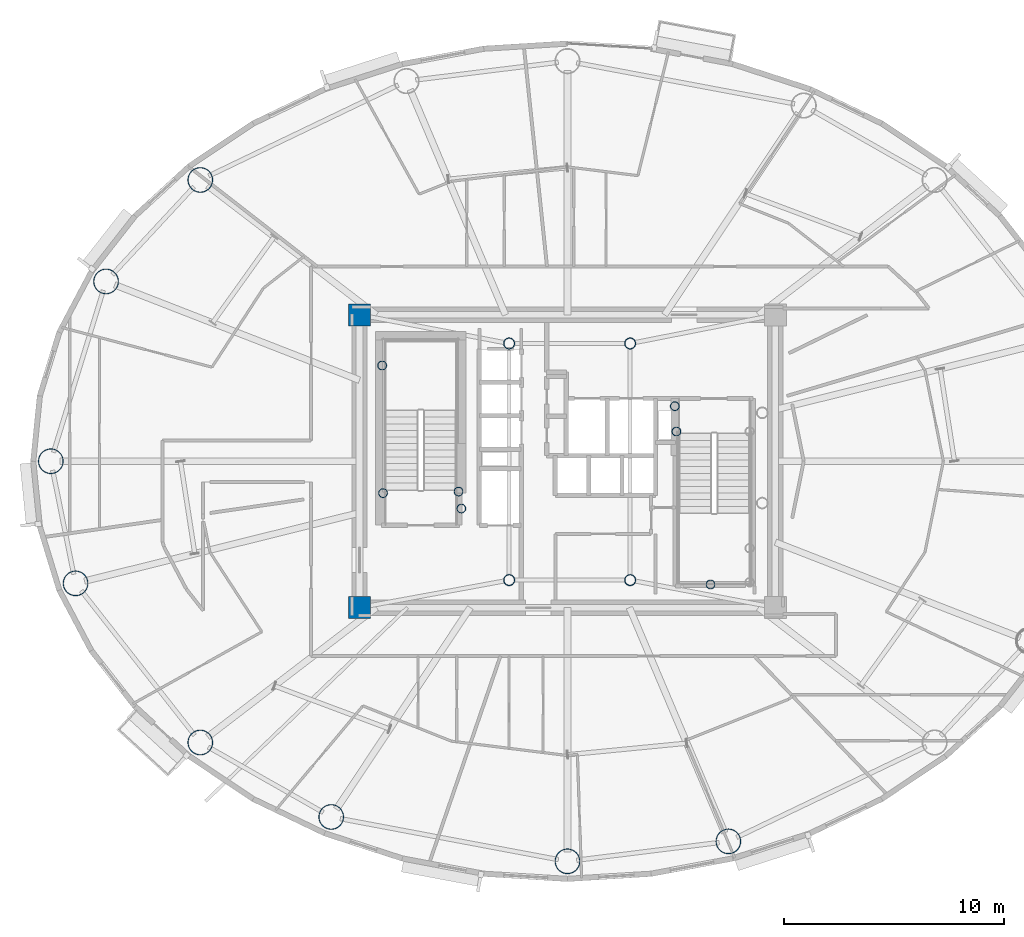
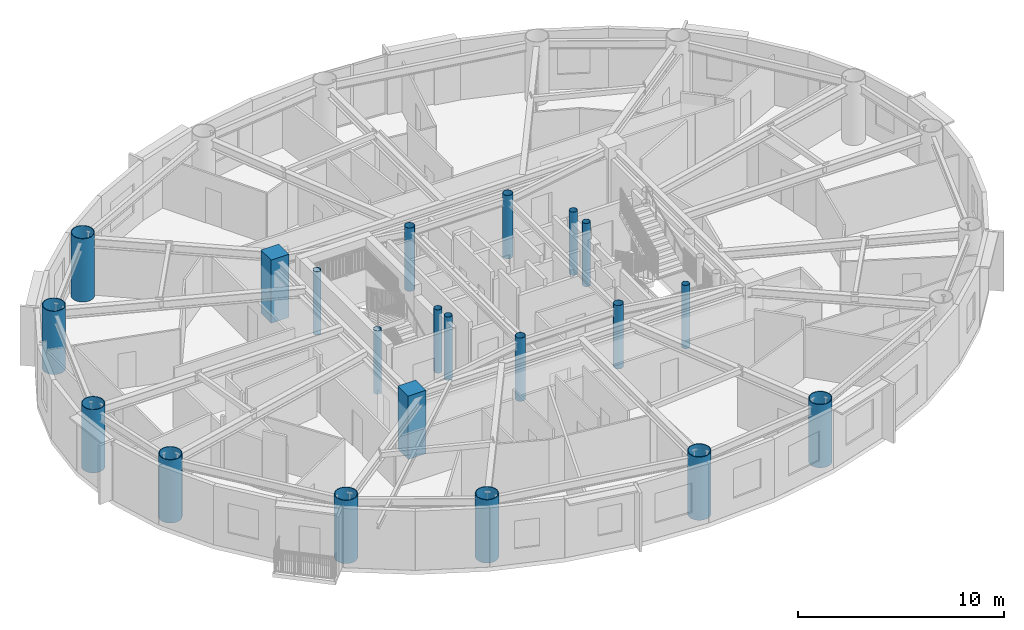
# One storey, part 1 of 20: 21 columns.
"""IFC4 building model written with IfcOpenShell, lengths in metres."""

from ifc_helpers import new_model, si_unit, direction, frame, origin, origin_2d, place, context, subcontext, project, spatial, rectangle, hollow_circle, extrude, material, material_profile, profile_set, type_object, element, save


model = new_model("IFC4")

# Units and contexts
model_context = context("Model", 3, precision=1e-05, world=origin(), true_north=direction((0.0, 1.0)))
body_context = subcontext(model_context, "Body", "Model", "MODEL_VIEW")
ifc_project = project(units=[si_unit("LENGTHUNIT", "METRE"), si_unit("AREAUNIT", "SQUARE_METRE"), si_unit("VOLUMEUNIT", "CUBIC_METRE"), si_unit("PLANEANGLEUNIT", "RADIAN"), si_unit("MASSUNIT", "GRAM", prefix="KILO")], contexts=[model_context])

# Site, building, storey
site_placement = place(None, origin())
site = spatial("IfcSite", under=ifc_project, at=site_placement, CompositionType="ELEMENT")
building_placement = place(site_placement, origin())
building = spatial("IfcBuilding", under=site, at=building_placement, Name="Linh Dai School and Residence Tower", CompositionType="ELEMENT")
storey_placement = place(building_placement, frame((0.0, 0.0, 232.800048828125)))
storey = spatial("IfcBuildingStorey", under=building, at=storey_placement, Name="L57", CompositionType="ELEMENT", Elevation=232.800048828125)

# Columns
ifc_material_1 = material(Name="Concrete B45 (C35/45)", Category="concrete")
ifc_material_profile_1 = material_profile(ifc_material_1, rectangle(XDim=1.0, YDim=1.0, at=origin_2d()), Name="RC 1000x1000")
ifc_profile_set_1 = profile_set([ifc_material_profile_1], Name="Concrete B45 (C35/45)")
column_type_1 = type_object("IfcColumnType", Name="COL-CC3", PredefinedType="COLUMN", material=ifc_profile_set_1)
for number, where, z_axis, x_axis, name in (
    (1, (26.550048828125, 20.35009765625, 0.0), (0.0, 0.0, 1.0), (1.0, 0.0, 0.0), "L57 Core Corner Pier CC1"),
    (2, (26.550048828125, 33.64990234375, 0.0), (0.0, 0.0, 1.0), (1.0, 0.0, 0.0), "L57 Core Corner Pier CC4"),
):
    element("IfcColumn", number, at=place(storey_placement, frame(where, z_axis=z_axis, x_axis=x_axis)), inside=storey, type_object=column_type_1, Name=name, PredefinedType="COLUMN", context=body_context, shape_type="SweptSolid", body=[
        extrude(rectangle(XDim=1.0, YDim=1.0, at=origin_2d()), origin(), (0.0, 0.0, 1.0), 3.75),
    ])
ifc_material_2 = material(Name="Structural Steel S355JR", Category="steel")
ifc_material_profile_2 = material_profile(ifc_material_2, hollow_circle(Radius=0.203125, WallThickness=0.01611328125, at=origin_2d()), Name="CHS 406.4x16")
ifc_profile_set_2 = profile_set([ifc_material_profile_2], Name="Structural Steel S355JR")
column_type_2 = type_object("IfcColumnType", Name="COL-EC", PredefinedType="COLUMN", material=ifc_profile_set_2)
for number, where, z_axis, x_axis, name in (
    (3, (27.580078125, 31.35009765625, 0.0), (0.0, 0.0, 1.0), (1.0, 0.0, 0.0), "L57 Stair Shaft Landing Support Pier ST1NW"),
    (4, (31.050048828125, 25.6201171875, 0.0), (0.0, 0.0, 1.0), (1.0, 0.0, 0.0), "L57 Stair Shaft Landing Support Pier ST1SE"),
    (5, (31.179931640625, 24.85009765625, 0.0), (0.0, 0.0, 1.0), (1.0, 0.0, 0.0), "L57 Stair Shaft Landing Support Pier ST1SM"),
    (6, (27.6201171875, 25.550048828125, 0.0), (0.0, 0.0, 1.0), (1.0, 0.0, 0.0), "L57 Stair Shaft Landing Support Pier ST1SW"),
    (7, (42.5, 21.39990234375, 0.0), (0.0, 0.0, 1.0), (1.0, 0.0, 0.0), "L57 Stair Shaft Landing Support Pier ST2MS"),
    (8, (40.949951171875, 28.35009765625, 0.0), (0.0, 0.0, 1.0), (1.0, 0.0, 0.0), "L57 Stair Shaft Landing Support Pier ST2N1"),
    (9, (40.8798828125, 29.5, 0.0), (0.0, 0.0, 1.0), (1.0, 0.0, 0.0), "L57 Stair Shaft Landing Support Pier ST2N3"),
):
    element("IfcColumn", number, at=place(storey_placement, frame(where, z_axis=z_axis, x_axis=x_axis)), inside=storey, type_object=column_type_2, Name=name, PredefinedType="COLUMN", context=body_context, shape_type="SweptSolid", body=[
        extrude(hollow_circle(Radius=0.203125, WallThickness=0.01611328125, at=origin_2d()), origin(), (0.0, 0.0, 1.0), 3.75),
    ])
ifc_material_profile_3 = material_profile(ifc_material_2, hollow_circle(Radius=0.574951171875, WallThickness=0.035888671875, at=origin_2d()), Name="CHS 1150x36")
ifc_profile_set_3 = profile_set([ifc_material_profile_3], Name="Structural Steel S355JR")
column_type_3 = type_object("IfcColumnType", Name="COL-MC5", PredefinedType="COLUMN", material=ifc_profile_set_3)
for number, where, z_axis, x_axis, name in (
    (10, (19.31689453125, 39.781005859375, 0.0), (0.0, 0.0, 1.0), (1.0, 0.0, 0.0), "L57 Perimeter CFT Mega-Column MC07"),
    (11, (15.03466796875, 35.1689453125, 0.0), (0.0, 0.0, 1.0), (1.0, 0.0, 0.0), "L57 Perimeter CFT Mega-Column MC08"),
    (12, (12.52490234375, 27.0, 0.0), (0.0, 0.0, 1.0), (1.0, 0.0, 0.0), "L57 Perimeter CFT Mega-Column MC09"),
    (13, (13.648681640625, 21.45068359375, 0.0), (0.0, 0.0, 1.0), (1.0, 0.0, 0.0), "L57 Perimeter CFT Mega-Column MC10"),
    (14, (19.31689453125, 14.218994140625, 0.0), (0.0, 0.0, 1.0), (1.0, 0.0, 0.0), "L57 Perimeter CFT Mega-Column MC11"),
    (15, (25.265380859375, 10.83642578125, 0.0), (0.0, 0.0, 1.0), (1.0, 0.0, 0.0), "L57 Perimeter CFT Mega-Column MC12"),
    (16, (36.0, 8.820068359375, 0.0), (0.0, 0.0, 1.0), (1.0, 0.0, 0.0), "L57 Perimeter CFT Mega-Column MC13"),
    (17, (43.31201171875, 9.7265625, 0.0), (0.0, 0.0, 1.0), (1.0, 0.0, 0.0), "L57 Perimeter CFT Mega-Column MC14"),
):
    element("IfcColumn", number, at=place(storey_placement, frame(where, z_axis=z_axis, x_axis=x_axis)), inside=storey, type_object=column_type_3, Name=name, PredefinedType="COLUMN", context=body_context, shape_type="SweptSolid", body=[
        extrude(hollow_circle(Radius=0.574951171875, WallThickness=0.035888671875, at=origin_2d()), origin(), (0.0, 0.0, 1.0), 3.75),
    ])
ifc_material_profile_4 = material_profile(ifc_material_2, hollow_circle(Radius=0.25390625, WallThickness=0.02001953125, at=origin_2d()), Name="CHS 508x20")
ifc_profile_set_4 = profile_set([ifc_material_profile_4], Name="Structural Steel S355JR")
column_type_4 = type_object("IfcColumnType", Name="COL-MCP", PredefinedType="COLUMN", material=ifc_profile_set_4)
for number, where, z_axis, x_axis, name in (
    (18, (33.35009765625, 21.60009765625, 0.0), (0.0, 0.0, 1.0), (1.0, 0.0, 0.0), "L57 Core Mast Support Pier MCP1"),
    (19, (38.85009765625, 21.60009765625, 0.0), (0.0, 0.0, 1.0), (1.0, 0.0, 0.0), "L57 Core Mast Support Pier MCP2"),
    (20, (38.85009765625, 32.35009765625, 0.0), (0.0, 0.0, 1.0), (1.0, 0.0, 0.0), "L57 Core Mast Support Pier MCP3"),
    (21, (33.35009765625, 32.35009765625, 0.0), (0.0, 0.0, 1.0), (1.0, 0.0, 0.0), "L57 Core Mast Support Pier MCP4"),
):
    element("IfcColumn", number, at=place(storey_placement, frame(where, z_axis=z_axis, x_axis=x_axis)), inside=storey, type_object=column_type_4, Name=name, PredefinedType="COLUMN", context=body_context, shape_type="SweptSolid", body=[
        extrude(hollow_circle(Radius=0.25390625, WallThickness=0.02001953125, at=origin_2d()), origin(), (0.0, 0.0, 1.0), 3.75),
    ])

save(model, "model.ifc")
